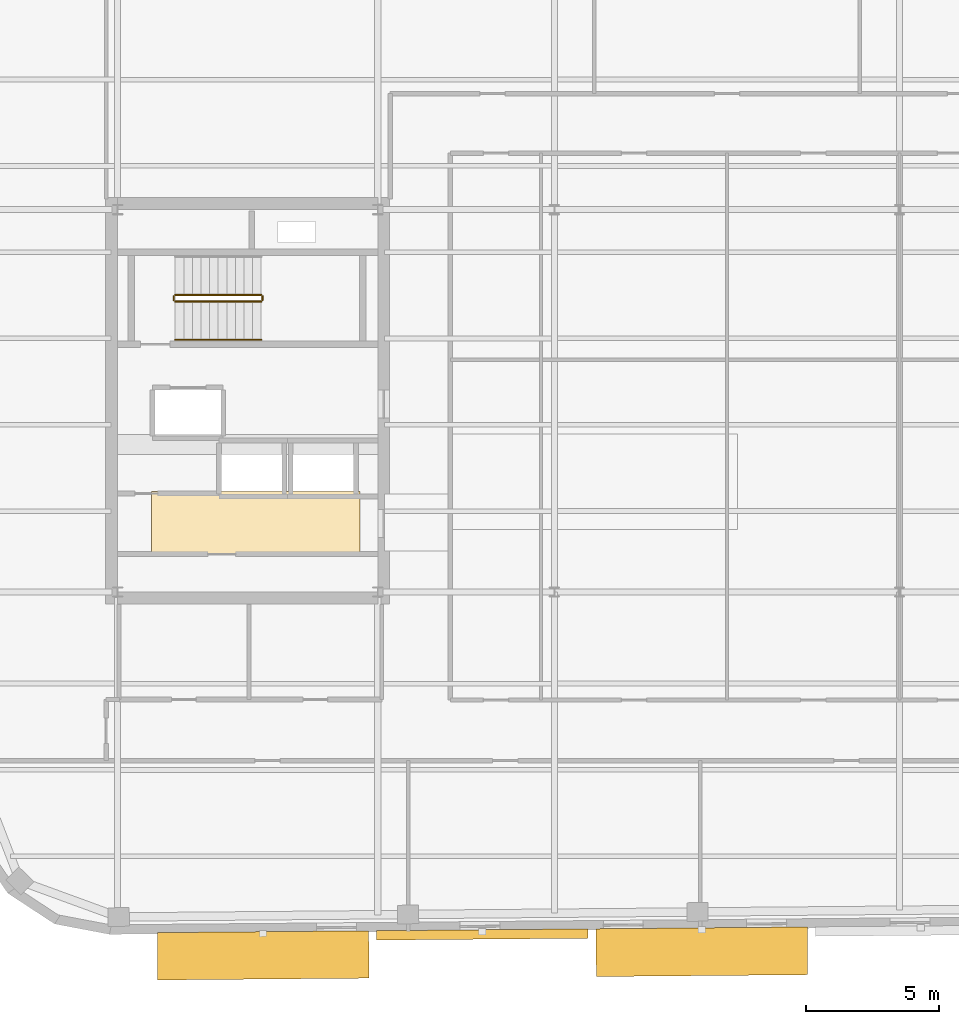
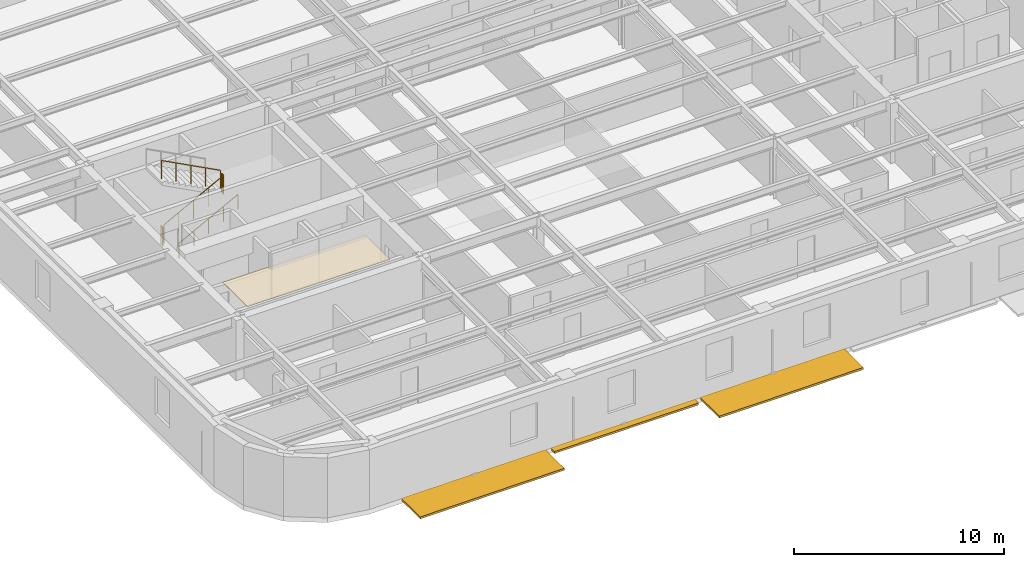
# One storey, part 11 of 14: 5 railings, 3 shading devices, 1 covering.
"""IFC4 building model written with IfcOpenShell, lengths in metres."""

from ifc_helpers import new_model, si_unit, direction, frame, origin, origin_2d, place, context, subcontext, project, spatial, polyline, rectangle, circle, outline, extrude, material, layer, layer_set, type_object, element, save


model = new_model("IFC4")

# Units and contexts
model_context = context("Model", 3, precision=1e-05, world=origin(), true_north=direction((0.0, 1.0)))
body_context = subcontext(model_context, "Body", "Model", "MODEL_VIEW")
ifc_project = project(units=[si_unit("LENGTHUNIT", "METRE"), si_unit("AREAUNIT", "SQUARE_METRE"), si_unit("VOLUMEUNIT", "CUBIC_METRE"), si_unit("PLANEANGLEUNIT", "RADIAN"), si_unit("MASSUNIT", "GRAM", prefix="KILO")], contexts=[model_context])

# Site, building, storey
site_placement = place(None, origin())
site = spatial("IfcSite", under=ifc_project, at=site_placement, CompositionType="ELEMENT")
building_placement = place(site_placement, origin())
building = spatial("IfcBuilding", under=site, at=building_placement, Name="Kolvaren Arena Tower", CompositionType="ELEMENT")
storey_placement = place(building_placement, frame((0.0, 0.0, 289.89990234375)))
storey = spatial("IfcBuildingStorey", under=building, at=storey_placement, Name="L71", CompositionType="ELEMENT", Elevation=289.89990234375)

# Covering
ifc_material_1 = material(Name="Moisture-resistant gypsum ceiling", Category="gypsum")
ifc_layer = layer(ifc_material_1, 0.030029296875)
ifc_layer_set = layer_set([ifc_layer], Name="Moisture-resistant gypsum ceiling")
covering_type = type_object("IfcCoveringType", Name="CEIL-GYP-1", PredefinedType="CEILING", material=ifc_layer_set)
covering_placement = place(storey_placement, frame((0.0, 0.0, 2.52001953125)))
element("IfcCovering", 1, at=covering_placement, inside=storey, type_object=covering_type, Name="Suspended Ceiling (L71)", PredefinedType="CEILING", context=body_context, shape_type="SweptSolid", body=[
    extrude(outline(polyline([(15.820068359375, 20.89990234375), (15.820068359375, 23.239990234375), (23.679931640625, 23.239990234375), (23.679931640625, 20.89990234375), (15.820068359375, 20.89990234375)])), origin(), (0.0, 0.0, 1.0), 0.030029296875),
])

# Railings
ifc_material_2 = material(Name="Painted galvanized steel", Category="steel")
railing_type_1 = type_object("IfcRailingType", Name="GUARD-ST-110", PredefinedType="GUARDRAIL", material=ifc_material_2)
railing_1_placement = place(storey_placement, frame((16.719970703125, 30.389892578125, 0.170654296875)))
element("IfcRailing", 2, at=railing_1_placement, inside=storey, type_object=railing_type_1, Name="L71 ST-W1 stair guard 1", PredefinedType="GUARDRAIL", context=body_context, shape_type="SweptSolid", body=[
    extrude(circle(Radius=0.02392578125, at=origin_2d()), frame((0.0, 0.0, 1.076171875), z_axis=(0.885020909582, 0.0, 0.465551274945), x_axis=(0.0, 1.0, 0.0)), (0.0, 0.0, 1.0), 3.660888671875),
    extrude(circle(Radius=0.02099609375, at=origin_2d()), origin(), (0.0, 0.0, 1.0), 1.052001953125),
    extrude(circle(Radius=0.02099609375, at=origin_2d()), frame((0.81005859375, 0.0, 0.426025390625)), (0.0, 0.0, 1.0), 1.052001953125),
    extrude(circle(Radius=0.02099609375, at=origin_2d()), frame((1.6201171875, 0.0, 0.85205078125)), (0.0, 0.0, 1.0), 1.052001953125),
    extrude(circle(Radius=0.02099609375, at=origin_2d()), frame((2.429931640625, 0.0, 1.2783203125)), (0.0, 0.0, 1.0), 1.052001953125),
    extrude(circle(Radius=0.02099609375, at=origin_2d()), frame((3.239990234375, 0.0, 1.704345703125)), (0.0, 0.0, 1.0), 1.052001953125),
])
railing_2_placement = place(storey_placement, frame((20.010009765625, 30.43994140625, 1.875)))
element("IfcRailing", 3, at=railing_2_placement, inside=storey, type_object=railing_type_1, Name="L71 ST-W1 stair guard 2", PredefinedType="GUARDRAIL", context=body_context, shape_type="SweptSolid", body=[
    extrude(circle(Radius=0.02392578125, at=origin_2d()), frame((0.0, 0.0, 1.076171875), z_axis=(0.0, 1.0, 0.0), x_axis=(-1.0, 0.0, 0.0)), (0.0, 0.0, 1.0), 0.150146484375),
    extrude(circle(Radius=0.02099609375, at=origin_2d()), origin(), (0.0, 0.0, 1.0), 1.052001953125),
    extrude(circle(Radius=0.02099609375, at=origin_2d()), frame((0.0, 0.150146484375, 0.0)), (0.0, 0.0, 1.0), 1.052001953125),
])
railing_3_placement = place(storey_placement, frame((19.9599609375, 30.639892578125, 2.045654296875)))
element("IfcRailing", 4, at=railing_3_placement, inside=storey, type_object=railing_type_1, Name="L71 ST-W1 stair guard 3", PredefinedType="GUARDRAIL", context=body_context, shape_type="SweptSolid", body=[
    extrude(circle(Radius=0.02392578125, at=origin_2d()), frame((0.0, 0.0, 1.076171875), z_axis=(-0.885020909582, 0.0, 0.465551274945), x_axis=(0.0, -1.0, 0.0)), (0.0, 0.0, 1.0), 3.660888671875),
    extrude(circle(Radius=0.02099609375, at=origin_2d()), origin(), (0.0, 0.0, 1.0), 1.052001953125),
    extrude(circle(Radius=0.02099609375, at=origin_2d()), frame((-0.81005859375, 0.0, 0.426025390625)), (0.0, 0.0, 1.0), 1.052001953125),
    extrude(circle(Radius=0.02099609375, at=origin_2d()), frame((-1.6201171875, 0.0, 0.85205078125)), (0.0, 0.0, 1.0), 1.052001953125),
    extrude(circle(Radius=0.02099609375, at=origin_2d()), frame((-2.429931640625, 0.0, 1.2783203125)), (0.0, 0.0, 1.0), 1.052001953125),
    extrude(circle(Radius=0.02099609375, at=origin_2d()), frame((-3.239990234375, 0.0, 1.704345703125)), (0.0, 0.0, 1.0), 1.052001953125),
])
railing_4_placement = place(storey_placement, frame((16.669921875, 30.43994140625, 0.0)))
element("IfcRailing", 5, at=railing_4_placement, inside=storey, type_object=railing_type_1, Name="L71 ST-W1 stair guard 4", PredefinedType="GUARDRAIL", context=body_context, shape_type="SweptSolid", body=[
    extrude(circle(Radius=0.02392578125, at=origin_2d()), frame((0.0, 0.0, 1.076171875), z_axis=(0.0, 1.0, 0.0), x_axis=(-1.0, 0.0, 0.0)), (0.0, 0.0, 1.0), 0.150146484375),
    extrude(circle(Radius=0.02099609375, at=origin_2d()), origin(), (0.0, 0.0, 1.0), 1.052001953125),
    extrude(circle(Radius=0.02099609375, at=origin_2d()), frame((0.0, 0.150146484375, 0.0)), (0.0, 0.0, 1.0), 1.052001953125),
])
ifc_material_3 = material(Name="Brushed stainless steel handrail", Category="steel")
railing_type_2 = type_object("IfcRailingType", Name="HRAIL-900", PredefinedType="HANDRAIL", material=ifc_material_3)
railing_5_placement = place(storey_placement, frame((16.719970703125, 28.949951171875, 0.170654296875)))
element("IfcRailing", 6, at=railing_5_placement, inside=storey, type_object=railing_type_2, Name="L71 ST-W1 stair handrail 1", PredefinedType="HANDRAIL", context=body_context, shape_type="SweptSolid", body=[
    extrude(circle(Radius=0.02392578125, at=origin_2d()), frame((0.0, 0.0, 0.8759765625), z_axis=(0.885020909582, 0.0, 0.465551274945), x_axis=(0.0, 1.0, 0.0)), (0.0, 0.0, 1.0), 3.660888671875),
    extrude(circle(Radius=0.02099609375, at=origin_2d()), origin(), (0.0, 0.0, 1.0), 0.851806640625),
    extrude(circle(Radius=0.02099609375, at=origin_2d()), frame((0.81005859375, 0.0, 0.426025390625)), (0.0, 0.0, 1.0), 0.851806640625),
    extrude(circle(Radius=0.02099609375, at=origin_2d()), frame((1.6201171875, 0.0, 0.85205078125)), (0.0, 0.0, 1.0), 0.851806640625),
    extrude(circle(Radius=0.02099609375, at=origin_2d()), frame((2.429931640625, 0.0, 1.2783203125)), (0.0, 0.0, 1.0), 0.851806640625),
    extrude(circle(Radius=0.02099609375, at=origin_2d()), frame((3.239990234375, 0.0, 1.704345703125)), (0.0, 0.0, 1.0), 0.851806640625),
])

# Shading devices
ifc_material_4 = material(Name="Architectural precast GFRC and anodised aluminium sunshade", Category="concrete")
shading_device_type_1 = type_object("IfcShadingDeviceType", Name="SHAD-SINE-A", PredefinedType="USERDEFINED", material=ifc_material_4)
shading_device_1_placement = place(storey_placement, frame((28.2880859375, 6.55322265625, -0.139892578125), z_axis=(0.0, 0.0, 1.0), x_axis=(-0.999961923064, -0.008726535498, 0.0)))
element("IfcShadingDevice", 7, at=shading_device_1_placement, inside=storey, type_object=shading_device_type_1, Name="Sinusoidal Slab-Edge Sunshade Louvre (L71)", ObjectType="LOUVRE", PredefinedType="USERDEFINED", context=body_context, shape_type="SweptSolid", body=[
    extrude(rectangle(XDim=7.9599609375, YDim=0.353759765625, at=origin_2d()), origin(), (0.0, 0.0, 1.0), 0.1201171875),
])
shading_device_type_2 = type_object("IfcShadingDeviceType", Name="SHAD-SINE-B", PredefinedType="JALOUSIE", material=ifc_material_4)
shading_device_2_placement = place(storey_placement, frame((36.55419921875, 5.902099609375, -0.139892578125), z_axis=(0.0, 0.0, 1.0), x_axis=(-0.999961923064, -0.008726535498, 0.0)))
element("IfcShadingDevice", 8, at=shading_device_2_placement, inside=storey, type_object=shading_device_type_2, Name="Sinusoidal Slab-Edge Sunshade Louvre (L71)", PredefinedType="JALOUSIE", context=body_context, shape_type="SweptSolid", body=[
    extrude(rectangle(XDim=7.9599609375, YDim=1.800048828125, at=origin_2d()), origin(), (0.0, 0.0, 1.0), 0.1201171875),
])
shading_device_3_placement = place(storey_placement, frame((20.03466796875, 5.765625, -0.139892578125), z_axis=(0.0, 0.0, 1.0), x_axis=(-0.999961923064, -0.008726535498, 0.0)))
element("IfcShadingDevice", 9, at=shading_device_3_placement, inside=storey, type_object=shading_device_type_2, Name="Sinusoidal Slab-Edge Sunshade Louvre (L71)", PredefinedType="JALOUSIE", context=body_context, shape_type="SweptSolid", body=[
    extrude(rectangle(XDim=7.9599609375, YDim=1.784912109375, at=origin_2d()), origin(), (0.0, 0.0, 1.0), 0.1201171875),
])

save(model, "model.ifc")
